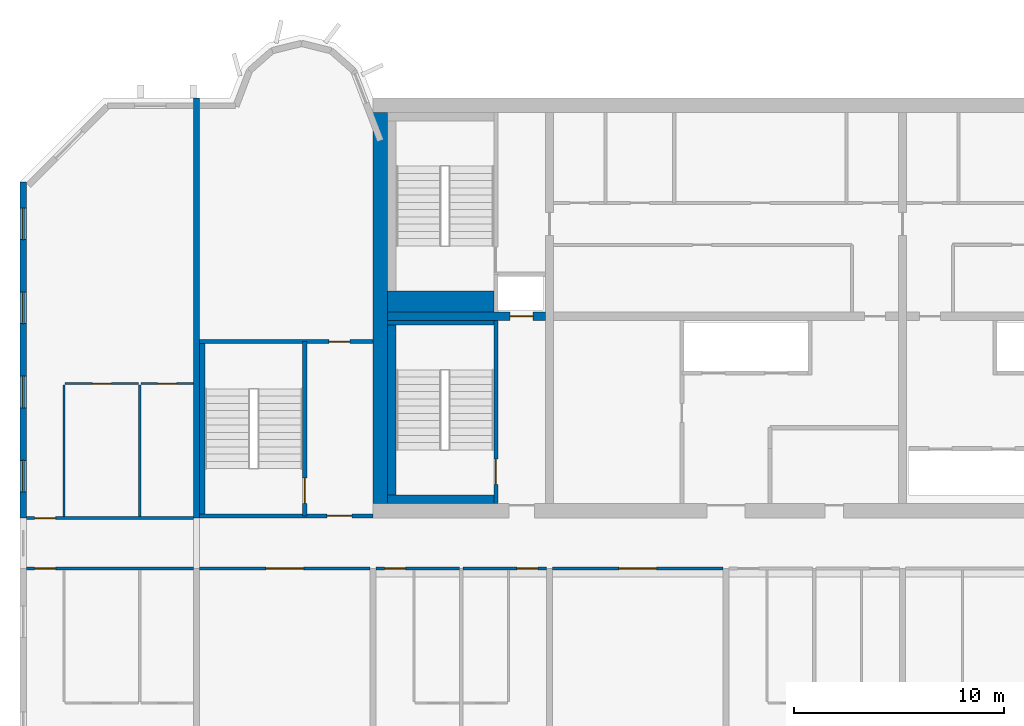
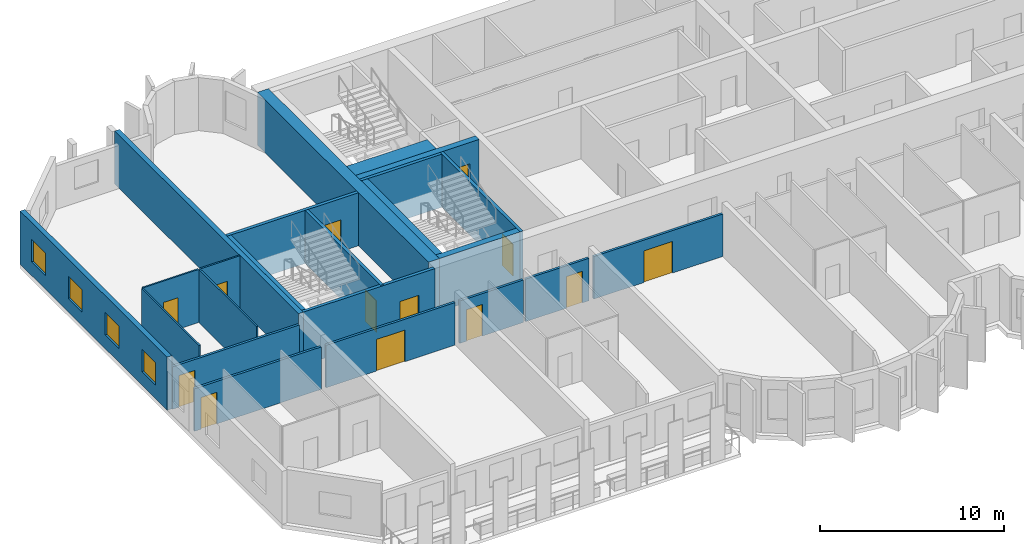
# One storey, part 3 of 13: 23 walls, 13 doors, 4 windows, 17 openings.
"""IFC4 building model written with IfcOpenShell, lengths in metres."""

from ifc_helpers import new_model, si_unit, direction, frame, frame_2d, origin, place, context, subcontext, project, spatial, rectangle, extrude, source, transform, mapped, material, layer, layer_set, type_object, element, fill, save


model = new_model("IFC4")

# Units and contexts
model_context = context("Model", 3, precision=1e-05, world=origin(), true_north=direction((0.0, 1.0)))
body_context = subcontext(model_context, "Body", "Model", "MODEL_VIEW")
ifc_project = project(units=[si_unit("LENGTHUNIT", "METRE"), si_unit("AREAUNIT", "SQUARE_METRE"), si_unit("VOLUMEUNIT", "CUBIC_METRE"), si_unit("PLANEANGLEUNIT", "RADIAN"), si_unit("MASSUNIT", "GRAM", prefix="KILO")], contexts=[model_context])

# Site, building, storey
site_placement = place(None, origin())
site = spatial("IfcSite", under=ifc_project, at=site_placement, CompositionType="ELEMENT")
building_placement = place(site_placement, origin())
building = spatial("IfcBuilding", under=site, at=building_placement, Name="Vanashikhar Sky Hotel", CompositionType="ELEMENT")
storey_placement = place(building_placement, frame((0.0, 0.0, 155.39990234375)))
storey = spatial("IfcBuildingStorey", under=building, at=storey_placement, Name="L37", CompositionType="ELEMENT", Elevation=155.39990234375)

# Wall
ifc_material_1 = material(Name="Concrete M60", Category="concrete")
ifc_layer_1 = layer(ifc_material_1, 0.699951171875)
ifc_layer_set_1 = layer_set([ifc_layer_1], Name="RC core shell wall 700 Concrete M60")
wall_type_1 = type_object("IfcWallType", Name="RC core shell wall 700 Concrete M60", PredefinedType="SHEAR", material=ifc_layer_set_1)
shared_shape_1 = source(origin(), body_context, "Body", "SweptSolid", [
    extrude(rectangle(XDim=18.60009765625, YDim=0.699951171875, at=frame_2d((9.300048828125, 0.0))), origin(), (0.0, 0.0, 1.0), 3.52001953125),
])
wall_1_placement = place(storey_placement, frame((25.550048828125, 22.699951171875, 0.0), z_axis=(0.0, 0.0, 1.0), x_axis=(0.0, 1.0, 0.0)))
element("IfcWall", 1, at=wall_1_placement, inside=storey, type_object=wall_type_1, Name="KW-L37-KW", PredefinedType="SHEAR", context=body_context, shape_type="MappedRepresentation", body=[
    mapped(shared_shape_1, transform((0.0, 0.0, 0.0), scale=1.0)),
])

# Wall, opening, door
ifc_layer_2 = layer(ifc_material_1, 0.39990234375)
ifc_layer_set_2 = layer_set([ifc_layer_2], Name="RC core inner wall 400 Concrete M60")
wall_type_2 = type_object("IfcWallType", Name="RC core inner wall 400 Concrete M60", PredefinedType="SHEAR", material=ifc_layer_set_2)
shared_shape_2 = source(origin(), body_context, "Body", "SweptSolid", [
    extrude(rectangle(XDim=7.5, YDim=0.39990234375, at=frame_2d((3.75, 0.0))), origin(), (0.0, 0.0, 1.0), 3.52001953125),
])
wall_2_placement = place(storey_placement, frame((25.89990234375, 31.60009765625, 0.0), z_axis=(0.0, 0.0, 1.0), x_axis=(1.0, 0.0, 0.0)))
wall_2 = element("IfcWall", 2, at=wall_2_placement, inside=storey, type_object=wall_type_2, Name="KW-L37-KY1", PredefinedType="SHEAR", context=body_context, shape_type="MappedRepresentation", body=[
    mapped(shared_shape_2, transform((0.0, 0.0, 0.0), scale=1.0)),
])
shared_shape_3 = source(origin(), body_context, "Body", "SweptSolid", [
    extrude(rectangle(XDim=1.10009765625, YDim=2.10009765625, at=frame_2d((0.550048828125, 1.050048828125))), frame((0.0, 0.2099609375, 0.0), z_axis=(0.0, -1.0, 0.0), x_axis=(1.0, 0.0, 0.0)), (0.0, 0.0, 1.0), 0.419921875),
])
opening_1_placement = place(wall_2_placement, frame((5.824951171875, 0.0, 0.0)))
opening_1 = element("IfcOpeningElement", 3, at=opening_1_placement, cuts=wall_2, Name="Opening LD", PredefinedType="OPENING", context=body_context, shape_type="MappedRepresentation", body=[
    mapped(shared_shape_3, transform((0.0, 0.0, 0.0), scale=1.0)),
])
ifc_material_2 = material(Name="Stainless steel", Category="steel")
door_type_1 = type_object("IfcDoorType", Name="Lift landing door 1100", OperationType="NOTDEFINED", PredefinedType="DOOR", material=ifc_material_2)
shared_shape_4 = source(origin(), body_context, "Body", "SweptSolid", [
    extrude(rectangle(XDim=1.10009765625, YDim=2.10009765625, at=frame_2d((0.550048828125, 1.050048828125))), frame((0.0, 0.02490234375, 0.0), z_axis=(0.0, -1.0, 0.0), x_axis=(1.0, 0.0, 0.0)), (0.0, 0.0, 1.0), 0.050048828125),
])
door_1_placement = place(opening_1_placement, origin())
door_1 = element("IfcDoor", 4, at=door_1_placement, inside=storey, type_object=door_type_1, Name="Lift landing door 1100", OperationType="SLIDING_TO_RIGHT", OverallHeight=2.10009765625, OverallWidth=1.10009765625, PredefinedType="DOOR", context=body_context, shape_type="MappedRepresentation", body=[
    mapped(shared_shape_4, transform((0.0, 0.0, 0.0), scale=1.0)),
])
fill(opening_1, door_1)

# Wall, openings, windows
ifc_layer_3 = layer(ifc_material_1, 0.300048828125)
ifc_layer_set_3 = layer_set([ifc_layer_3], Name="RC shear wall 300 Concrete M60")
wall_type_3 = type_object("IfcWallType", Name="RC shear wall 300 Concrete M60", PredefinedType="SHEAR", material=ifc_layer_set_3)
shared_shape_5 = source(origin(), body_context, "Body", "SweptSolid", [
    extrude(rectangle(XDim=16.0, YDim=0.300048828125, at=frame_2d((8.0, 0.0))), origin(), (0.0, 0.0, 1.0), 3.52001953125),
])
wall_3_placement = place(storey_placement, frame((8.550048828125, 22.0, 0.0), z_axis=(0.0, 0.0, 1.0), x_axis=(0.0, 1.0, 0.0)))
wall_3 = element("IfcWall", 5, at=wall_3_placement, inside=storey, type_object=wall_type_3, Name="CW-L37-XW02-2", PredefinedType="SHEAR", context=body_context, shape_type="MappedRepresentation", body=[
    mapped(shared_shape_5, transform((0.0, 0.0, 0.0), scale=1.0)),
])
shared_shape_6 = source(origin(), body_context, "Body", "SweptSolid", [
    extrude(rectangle(XDim=1.5, YDim=1.5, at=frame_2d((0.75, 0.75))), frame((0.0, 0.16015625, 0.0), z_axis=(0.0, -1.0, 0.0), x_axis=(1.0, 0.0, 0.0)), (0.0, 0.0, 1.0), 0.320068359375),
])
opening_2_placement = place(wall_3_placement, frame((1.25, 0.0, 0.89990234375)))
opening_2 = element("IfcOpeningElement", 6, at=opening_2_placement, cuts=wall_3, Name="Opening WN-1", PredefinedType="OPENING", context=body_context, shape_type="MappedRepresentation", body=[
    mapped(shared_shape_6, transform((0.0, 0.0, 0.0), scale=1.0)),
])
opening_3_placement = place(wall_3_placement, frame((5.25, 0.0, 0.89990234375)))
opening_3 = element("IfcOpeningElement", 7, at=opening_3_placement, cuts=wall_3, Name="Opening WN-1", PredefinedType="OPENING", context=body_context, shape_type="MappedRepresentation", body=[
    mapped(shared_shape_6, transform((0.0, 0.0, 0.0), scale=1.0)),
])
opening_4_placement = place(wall_3_placement, frame((9.25, 0.0, 0.89990234375)))
opening_4 = element("IfcOpeningElement", 8, at=opening_4_placement, cuts=wall_3, Name="Opening WN-1", PredefinedType="OPENING", context=body_context, shape_type="MappedRepresentation", body=[
    mapped(shared_shape_6, transform((0.0, 0.0, 0.0), scale=1.0)),
])
opening_5_placement = place(wall_3_placement, frame((13.25, 0.0, 0.89990234375)))
opening_5 = element("IfcOpeningElement", 9, at=opening_5_placement, cuts=wall_3, Name="Opening WN-1", PredefinedType="OPENING", context=body_context, shape_type="MappedRepresentation", body=[
    mapped(shared_shape_6, transform((0.0, 0.0, 0.0), scale=1.0)),
])
ifc_material_3 = material(Name="Glass", Category="glass")
window_type = type_object("IfcWindowType", Name="Window 1500 x 1500", PartitioningType="SINGLE_PANEL", PredefinedType="WINDOW", material=ifc_material_3)
shared_shape_7 = source(origin(), body_context, "Body", "SweptSolid", [
    extrude(rectangle(XDim=1.5, YDim=1.5, at=frame_2d((0.75, 0.75))), frame((0.0, 0.030029296875, 0.0), z_axis=(0.0, -1.0, 0.0), x_axis=(1.0, 0.0, 0.0)), (0.0, 0.0, 1.0), 0.06005859375),
])
window_1_placement = place(opening_2_placement, origin())
window_1 = element("IfcWindow", 10, at=window_1_placement, inside=storey, type_object=window_type, Name="Window WN-1", OverallHeight=1.5, OverallWidth=1.5, PartitioningType="SINGLE_PANEL", PredefinedType="WINDOW", context=body_context, shape_type="MappedRepresentation", body=[
    mapped(shared_shape_7, transform((0.0, 0.0, 0.0), scale=1.0)),
])
fill(opening_2, window_1)
window_2_placement = place(opening_3_placement, origin())
window_2 = element("IfcWindow", 11, at=window_2_placement, inside=storey, type_object=window_type, Name="Window WN-1", OverallHeight=1.5, OverallWidth=1.5, PartitioningType="SINGLE_PANEL", PredefinedType="WINDOW", context=body_context, shape_type="MappedRepresentation", body=[
    mapped(shared_shape_7, transform((0.0, 0.0, 0.0), scale=1.0)),
])
fill(opening_3, window_2)
window_3_placement = place(opening_4_placement, origin())
window_3 = element("IfcWindow", 12, at=window_3_placement, inside=storey, type_object=window_type, Name="Window WN-1", OverallHeight=1.5, OverallWidth=1.5, PartitioningType="SINGLE_PANEL", PredefinedType="WINDOW", context=body_context, shape_type="MappedRepresentation", body=[
    mapped(shared_shape_7, transform((0.0, 0.0, 0.0), scale=1.0)),
])
fill(opening_4, window_3)
window_4_placement = place(opening_5_placement, origin())
window_4 = element("IfcWindow", 13, at=window_4_placement, inside=storey, type_object=window_type, Name="Window WN-1", OverallHeight=1.5, OverallWidth=1.5, PartitioningType="SINGLE_PANEL", PredefinedType="WINDOW", context=body_context, shape_type="MappedRepresentation", body=[
    mapped(shared_shape_7, transform((0.0, 0.0, 0.0), scale=1.0)),
])
fill(opening_5, window_4)

# Wall
shared_shape_8 = source(origin(), body_context, "Body", "SweptSolid", [
    extrude(rectangle(XDim=20.0, YDim=0.300048828125, at=frame_2d((10.0, 0.0))), origin(), (0.0, 0.0, 1.0), 3.52001953125),
])
wall_4_placement = place(storey_placement, frame((16.800048828125, 22.0, 0.0), z_axis=(0.0, 0.0, 1.0), x_axis=(0.0, 1.0, 0.0)))
element("IfcWall", 14, at=wall_4_placement, inside=storey, type_object=wall_type_3, Name="CW-L37-XW03-2", PredefinedType="SHEAR", context=body_context, shape_type="MappedRepresentation", body=[
    mapped(shared_shape_8, transform((0.0, 0.0, 0.0), scale=1.0)),
])

# Wall, opening, door
ifc_material_4 = material(Name="Concrete M50", Category="concrete")
ifc_layer_4 = layer(ifc_material_4, 0.199951171875)
ifc_layer_set_4 = layer_set([ifc_layer_4], Name="Stair wall 200")
wall_type_4 = type_object("IfcWallType", Name="Stair wall 200", PredefinedType="SOLIDWALL", material=ifc_layer_set_4)
shared_shape_9 = source(origin(), body_context, "Body", "SweptSolid", [
    extrude(rectangle(XDim=8.2998046875, YDim=0.199951171875, at=frame_2d((4.14990234375, 0.0))), origin(), (0.0, 0.0, 1.0), 3.52001953125),
])
wall_5_placement = place(storey_placement, frame((21.949951171875, 22.10009765625, 0.0), z_axis=(0.0, 0.0, 1.0), x_axis=(0.0, 1.0, 0.0)))
wall_5 = element("IfcWall", 15, at=wall_5_placement, inside=storey, type_object=wall_type_4, Name="Stair wall 200", PredefinedType="SOLIDWALL", context=body_context, shape_type="MappedRepresentation", body=[
    mapped(shared_shape_9, transform((0.0, 0.0, 0.0), scale=1.0)),
])
shared_shape_10 = source(origin(), body_context, "Body", "SweptSolid", [
    extrude(rectangle(XDim=1.199951171875, YDim=2.10009765625, at=frame_2d((0.60009765625, 1.050048828125))), frame((0.0, 0.10986328125, 0.0), z_axis=(0.0, -1.0, 0.0), x_axis=(1.0, 0.0, 0.0)), (0.0, 0.0, 1.0), 0.219970703125),
])
opening_6_placement = place(wall_5_placement, frame((0.60009765625, 0.0, 0.0)))
opening_6 = element("IfcOpeningElement", 16, at=opening_6_placement, cuts=wall_5, Name="Opening DC-1", PredefinedType="OPENING", context=body_context, shape_type="MappedRepresentation", body=[
    mapped(shared_shape_10, transform((0.0, 0.0, 0.0), scale=1.0)),
])
ifc_material_5 = material(Name="Steel", Category="steel")
door_type_2 = type_object("IfcDoorType", Name="Stair door 1200 FD120", OperationType="NOTDEFINED", PredefinedType="DOOR", material=ifc_material_5)
shared_shape_11 = source(origin(), body_context, "Body", "SweptSolid", [
    extrude(rectangle(XDim=1.199951171875, YDim=2.10009765625, at=frame_2d((0.60009765625, 1.050048828125))), frame((0.0, 0.02490234375, 0.0), z_axis=(0.0, -1.0, 0.0), x_axis=(1.0, 0.0, 0.0)), (0.0, 0.0, 1.0), 0.050048828125),
])
door_2_placement = place(opening_6_placement, origin())
door_2 = element("IfcDoor", 17, at=door_2_placement, inside=storey, type_object=door_type_2, Name="Stair door 1200 FD120", OperationType="SINGLE_SWING_LEFT", OverallHeight=2.10009765625, OverallWidth=1.199951171875, PredefinedType="DOOR", context=body_context, shape_type="MappedRepresentation", body=[
    mapped(shared_shape_11, transform((0.0, 0.0, 0.0), scale=1.0)),
])
fill(opening_6, door_2)

shared_shape_12 = source(origin(), body_context, "Body", "SweptSolid", [
    extrude(rectangle(XDim=8.699951171875, YDim=0.199951171875, at=frame_2d((4.35009765625, 0.0))), origin(), (0.0, 0.0, 1.0), 3.52001953125),
])
wall_6_placement = place(storey_placement, frame((31.050048828125, 22.699951171875, 0.0), z_axis=(0.0, 0.0, 1.0), x_axis=(0.0, 1.0, 0.0)))
wall_6 = element("IfcWall", 18, at=wall_6_placement, inside=storey, type_object=wall_type_4, Name="Stair wall 200", PredefinedType="SOLIDWALL", context=body_context, shape_type="MappedRepresentation", body=[
    mapped(shared_shape_12, transform((0.0, 0.0, 0.0), scale=1.0)),
])
opening_7_placement = place(wall_6_placement, frame((0.89990234375, 0.0, 0.0)))
opening_7 = element("IfcOpeningElement", 19, at=opening_7_placement, cuts=wall_6, Name="Opening DC-1", PredefinedType="OPENING", context=body_context, shape_type="MappedRepresentation", body=[
    mapped(shared_shape_10, transform((0.0, 0.0, 0.0), scale=1.0)),
])
door_3_placement = place(opening_7_placement, origin())
door_3 = element("IfcDoor", 20, at=door_3_placement, inside=storey, type_object=door_type_2, Name="Stair door 1200 FD120", OperationType="SINGLE_SWING_RIGHT", OverallHeight=2.10009765625, OverallWidth=1.199951171875, PredefinedType="DOOR", context=body_context, shape_type="MappedRepresentation", body=[
    mapped(shared_shape_11, transform((0.0, 0.0, 0.0), scale=1.0)),
])
fill(opening_7, door_3)

shared_shape_13 = source(origin(), body_context, "Body", "SweptSolid", [
    extrude(rectangle(XDim=8.25, YDim=0.199951171875, at=frame_2d((4.125, 0.0))), origin(), (0.0, 0.0, 1.0), 3.52001953125),
])
wall_7_placement = place(storey_placement, frame((16.949951171875, 22.10009765625, 0.0), z_axis=(0.0, 0.0, 1.0), x_axis=(1.0, 0.0, 0.0)))
wall_7 = element("IfcWall", 21, at=wall_7_placement, inside=storey, type_object=wall_type_4, Name="Stair wall 200", PredefinedType="SOLIDWALL", context=body_context, shape_type="MappedRepresentation", body=[
    mapped(shared_shape_13, transform((0.0, 0.0, 0.0), scale=1.0)),
])
opening_8_placement = place(wall_7_placement, frame((6.050048828125, 0.0, 0.0)))
opening_8 = element("IfcOpeningElement", 22, at=opening_8_placement, cuts=wall_7, Name="Opening DC-2", PredefinedType="OPENING", context=body_context, shape_type="MappedRepresentation", body=[
    mapped(shared_shape_10, transform((0.0, 0.0, 0.0), scale=1.0)),
])
door_type_3 = type_object("IfcDoorType", Name="Firefighting lobby door 1200 FD120", OperationType="NOTDEFINED", PredefinedType="DOOR", material=ifc_material_5)
door_4_placement = place(opening_8_placement, origin())
door_4 = element("IfcDoor", 23, at=door_4_placement, inside=storey, type_object=door_type_3, Name="Firefighting lobby door 1200 FD120", OperationType="SINGLE_SWING_RIGHT", OverallHeight=2.10009765625, OverallWidth=1.199951171875, PredefinedType="DOOR", context=body_context, shape_type="MappedRepresentation", body=[
    mapped(shared_shape_11, transform((0.0, 0.0, 0.0), scale=1.0)),
])
fill(opening_8, door_4)

wall_8_placement = place(storey_placement, frame((16.949951171875, 30.39990234375, 0.0), z_axis=(0.0, 0.0, 1.0), x_axis=(1.0, 0.0, 0.0)))
wall_8 = element("IfcWall", 24, at=wall_8_placement, inside=storey, type_object=wall_type_4, Name="Stair wall 200", PredefinedType="SOLIDWALL", context=body_context, shape_type="MappedRepresentation", body=[
    mapped(shared_shape_13, transform((0.0, 0.0, 0.0), scale=1.0)),
])
shared_shape_14 = source(origin(), body_context, "Body", "SweptSolid", [
    extrude(rectangle(XDim=1.0, YDim=2.10009765625, at=frame_2d((0.5, 1.050048828125))), frame((0.0, 0.10986328125, 0.0), z_axis=(0.0, -1.0, 0.0), x_axis=(1.0, 0.0, 0.0)), (0.0, 0.0, 1.0), 0.219970703125),
])
opening_9_placement = place(wall_8_placement, frame((6.14990234375, 0.0, 0.0)))
opening_9 = element("IfcOpeningElement", 25, at=opening_9_placement, cuts=wall_8, Name="Opening DC-6", PredefinedType="OPENING", context=body_context, shape_type="MappedRepresentation", body=[
    mapped(shared_shape_14, transform((0.0, 0.0, 0.0), scale=1.0)),
])
door_type_4 = type_object("IfcDoorType", Name="Pocket door 1000 FD60", OperationType="NOTDEFINED", PredefinedType="DOOR", material=ifc_material_5)
shared_shape_15 = source(origin(), body_context, "Body", "SweptSolid", [
    extrude(rectangle(XDim=1.0, YDim=2.10009765625, at=frame_2d((0.5, 1.050048828125))), frame((0.0, 0.02490234375, 0.0), z_axis=(0.0, -1.0, 0.0), x_axis=(1.0, 0.0, 0.0)), (0.0, 0.0, 1.0), 0.050048828125),
])
door_5_placement = place(opening_9_placement, origin())
door_5 = element("IfcDoor", 26, at=door_5_placement, inside=storey, type_object=door_type_4, Name="Pocket door 1000 FD60", OperationType="SINGLE_SWING_RIGHT", OverallHeight=2.10009765625, OverallWidth=1.0, PredefinedType="DOOR", context=body_context, shape_type="MappedRepresentation", body=[
    mapped(shared_shape_15, transform((0.0, 0.0, 0.0), scale=1.0)),
])
fill(opening_9, door_5)

# Walls
ifc_layer_5 = layer(ifc_material_4, 0.39990234375)
ifc_layer_set_5 = layer_set([ifc_layer_5], Name="Stair infill wall 400")
wall_type_5 = type_object("IfcWallType", Name="Stair infill wall 400", PredefinedType="SOLIDWALL", material=ifc_layer_set_5)
shared_shape_16 = source(origin(), body_context, "Body", "SweptSolid", [
    extrude(rectangle(XDim=5.050048828125, YDim=0.39990234375, at=frame_2d((2.52490234375, 0.0))), origin(), (0.0, 0.0, 1.0), 3.52001953125),
])
wall_9_placement = place(storey_placement, frame((25.89990234375, 22.89990234375, 0.0), z_axis=(0.0, 0.0, 1.0), x_axis=(1.0, 0.0, 0.0)))
element("IfcWall", 27, at=wall_9_placement, inside=storey, type_object=wall_type_5, Name="Stair infill wall 400", PredefinedType="SOLIDWALL", context=body_context, shape_type="MappedRepresentation", body=[
    mapped(shared_shape_16, transform((0.0, 0.0, 0.0), scale=1.0)),
])
ifc_layer_6 = layer(ifc_material_4, 0.199951171875)
ifc_layer_set_6 = layer_set([ifc_layer_6], Name="Stair infill wall 200")
wall_type_6 = type_object("IfcWallType", Name="Stair infill wall 200", PredefinedType="SOLIDWALL", material=ifc_layer_set_6)
shared_shape_17 = source(origin(), body_context, "Body", "SweptSolid", [
    extrude(rectangle(XDim=5.050048828125, YDim=0.199951171875, at=frame_2d((2.52490234375, 0.0))), origin(), (0.0, 0.0, 1.0), 3.52001953125),
])
wall_10_placement = place(storey_placement, frame((25.89990234375, 31.300048828125, 0.0), z_axis=(0.0, 0.0, 1.0), x_axis=(1.0, 0.0, 0.0)))
element("IfcWall", 28, at=wall_10_placement, inside=storey, type_object=wall_type_6, Name="Stair infill wall 200", PredefinedType="SOLIDWALL", context=body_context, shape_type="MappedRepresentation", body=[
    mapped(shared_shape_17, transform((0.0, 0.0, 0.0), scale=1.0)),
])
shared_shape_18 = source(origin(), body_context, "Body", "SweptSolid", [
    extrude(rectangle(XDim=8.099853515625, YDim=0.39990234375, at=frame_2d((4.0498046875, 0.0))), origin(), (0.0, 0.0, 1.0), 3.52001953125),
])
wall_11_placement = place(storey_placement, frame((26.10009765625, 23.10009765625, 0.0), z_axis=(0.0, 0.0, 1.0), x_axis=(0.0, 1.0, 0.0)))
element("IfcWall", 29, at=wall_11_placement, inside=storey, type_object=wall_type_5, Name="Stair infill wall 400", PredefinedType="SOLIDWALL", context=body_context, shape_type="MappedRepresentation", body=[
    mapped(shared_shape_18, transform((0.0, 0.0, 0.0), scale=1.0)),
])
ifc_layer_7 = layer(ifc_material_4, 0.25)
ifc_layer_set_7 = layer_set([ifc_layer_7], Name="Stair infill wall 250")
wall_type_7 = type_object("IfcWallType", Name="Stair infill wall 250", PredefinedType="SOLIDWALL", material=ifc_layer_set_7)
shared_shape_19 = source(origin(), body_context, "Body", "SweptSolid", [
    extrude(rectangle(XDim=8.10009765625, YDim=0.25, at=frame_2d((4.050048828125, 0.0))), origin(), (0.0, 0.0, 1.0), 3.52001953125),
])
wall_12_placement = place(storey_placement, frame((17.074951171875, 22.199951171875, 0.0), z_axis=(0.0, 0.0, 1.0), x_axis=(0.0, 1.0, 0.0)))
element("IfcWall", 30, at=wall_12_placement, inside=storey, type_object=wall_type_7, Name="Stair infill wall 250", PredefinedType="SOLIDWALL", context=body_context, shape_type="MappedRepresentation", body=[
    mapped(shared_shape_19, transform((0.0, 0.0, 0.0), scale=1.0)),
])
ifc_layer_8 = layer(ifc_material_4, 1.0)
ifc_layer_set_8 = layer_set([ifc_layer_8], Name="Stair infill wall 1000")
wall_type_8 = type_object("IfcWallType", Name="Stair infill wall 1000", PredefinedType="SOLIDWALL", material=ifc_layer_set_8)
shared_shape_20 = source(origin(), body_context, "Body", "SweptSolid", [
    extrude(rectangle(XDim=5.050048828125, YDim=1.0, at=frame_2d((2.52490234375, 0.0))), origin(), (0.0, 0.0, 1.0), 3.52001953125),
])
wall_13_placement = place(storey_placement, frame((25.89990234375, 32.300048828125, 0.0), z_axis=(0.0, 0.0, 1.0), x_axis=(1.0, 0.0, 0.0)))
element("IfcWall", 31, at=wall_13_placement, inside=storey, type_object=wall_type_8, Name="Stair infill wall 1000", PredefinedType="SOLIDWALL", context=body_context, shape_type="MappedRepresentation", body=[
    mapped(shared_shape_20, transform((0.0, 0.0, 0.0), scale=1.0)),
])

# Wall, opening, door
ifc_material_6 = material(Name="Gypsum plasterboard partition")
ifc_layer_9 = layer(ifc_material_6, 0.10009765625)
ifc_layer_set_9 = layer_set([ifc_layer_9], Name="Wet room partition 100")
wall_type_9 = type_object("IfcWallType", Name="Wet room partition 100", PredefinedType="PARTITIONING", material=ifc_layer_set_9)
shared_shape_21 = source(origin(), body_context, "Body", "SweptSolid", [
    extrude(rectangle(XDim=3.5, YDim=0.10009765625, at=frame_2d((1.75, 0.0))), origin(), (0.0, 0.0, 1.0), 3.52001953125),
])
wall_14_placement = place(storey_placement, frame((10.550048828125, 28.39990234375, 0.0), z_axis=(0.0, 0.0, 1.0), x_axis=(1.0, 0.0, 0.0)))
wall_14 = element("IfcWall", 32, at=wall_14_placement, inside=storey, type_object=wall_type_9, Name="W-L37-PW057", PredefinedType="PARTITIONING", context=body_context, shape_type="MappedRepresentation", body=[
    mapped(shared_shape_21, transform((0.0, 0.0, 0.0), scale=1.0)),
])
shared_shape_22 = source(origin(), body_context, "Body", "SweptSolid", [
    extrude(rectangle(XDim=0.89990234375, YDim=2.10009765625, at=frame_2d((0.449951171875, 1.050048828125))), frame((0.0, 0.06005859375, 0.0), z_axis=(0.0, -1.0, 0.0), x_axis=(1.0, 0.0, 0.0)), (0.0, 0.0, 1.0), 0.1201171875),
])
opening_10_placement = place(wall_14_placement, frame((1.300048828125, 0.0, 0.0)))
opening_10 = element("IfcOpeningElement", 33, at=opening_10_placement, cuts=wall_14, Name="Opening D-02", PredefinedType="OPENING", context=body_context, shape_type="MappedRepresentation", body=[
    mapped(shared_shape_22, transform((0.0, 0.0, 0.0), scale=1.0)),
])
ifc_material_7 = material(Name="Timber door", Category="wood")
door_type_5 = type_object("IfcDoorType", Name="Internal door 900", OperationType="NOTDEFINED", PredefinedType="DOOR", material=ifc_material_7)
shared_shape_23 = source(origin(), body_context, "Body", "SweptSolid", [
    extrude(rectangle(XDim=0.89990234375, YDim=2.10009765625, at=frame_2d((0.449951171875, 1.050048828125))), frame((0.0, 0.02490234375, 0.0), z_axis=(0.0, -1.0, 0.0), x_axis=(1.0, 0.0, 0.0)), (0.0, 0.0, 1.0), 0.050048828125),
])
door_6_placement = place(opening_10_placement, origin())
door_6 = element("IfcDoor", 34, at=door_6_placement, inside=storey, type_object=door_type_5, Name="D-L37-032", OperationType="SINGLE_SWING_LEFT", OverallHeight=2.10009765625, OverallWidth=0.89990234375, PredefinedType="DOOR", context=body_context, shape_type="MappedRepresentation", body=[
    mapped(shared_shape_23, transform((0.0, 0.0, 0.0), scale=1.0)),
])
fill(opening_10, door_6)

# Walls
shared_shape_24 = source(origin(), body_context, "Body", "SweptSolid", [
    extrude(rectangle(XDim=6.25, YDim=0.10009765625, at=frame_2d((3.125, 0.0))), origin(), (0.0, 0.0, 1.0), 3.52001953125),
])
for number, where, z_axis, x_axis, name in (
    (35, (10.5, 22.074951171875, 0.0), (0.0, 0.0, 1.0), (0.0, 1.0, 0.0), "W-L37-PW055"),
    (36, (14.10009765625, 22.074951171875, 0.0), (0.0, 0.0, 1.0), (0.0, 1.0, 0.0), "W-L37-PW056"),
):
    element("IfcWall", number, at=place(storey_placement, frame(where, z_axis=z_axis, x_axis=x_axis)), inside=storey, type_object=wall_type_9, Name=name, PredefinedType="PARTITIONING", context=body_context, shape_type="MappedRepresentation", body=[
        mapped(shared_shape_24, transform((0.0, 0.0, 0.0), scale=1.0)),
    ])

# Wall, opening, door
shared_shape_25 = source(origin(), body_context, "Body", "SweptSolid", [
    extrude(rectangle(XDim=2.5, YDim=0.10009765625, at=frame_2d((1.25, 0.0))), origin(), (0.0, 0.0, 1.0), 3.52001953125),
])
wall_15_placement = place(storey_placement, frame((14.14990234375, 28.39990234375, 0.0), z_axis=(0.0, 0.0, 1.0), x_axis=(1.0, 0.0, 0.0)))
wall_15 = element("IfcWall", 37, at=wall_15_placement, inside=storey, type_object=wall_type_9, Name="W-L37-PW058", PredefinedType="PARTITIONING", context=body_context, shape_type="MappedRepresentation", body=[
    mapped(shared_shape_25, transform((0.0, 0.0, 0.0), scale=1.0)),
])
opening_11_placement = place(wall_15_placement, frame((0.800048828125, 0.0, 0.0)))
opening_11 = element("IfcOpeningElement", 38, at=opening_11_placement, cuts=wall_15, Name="Opening D-02", PredefinedType="OPENING", context=body_context, shape_type="MappedRepresentation", body=[
    mapped(shared_shape_22, transform((0.0, 0.0, 0.0), scale=1.0)),
])
door_7_placement = place(opening_11_placement, origin())
door_7 = element("IfcDoor", 39, at=door_7_placement, inside=storey, type_object=door_type_5, Name="D-L37-033", OperationType="SINGLE_SWING_LEFT", OverallHeight=2.10009765625, OverallWidth=0.89990234375, PredefinedType="DOOR", context=body_context, shape_type="MappedRepresentation", body=[
    mapped(shared_shape_23, transform((0.0, 0.0, 0.0), scale=1.0)),
])
fill(opening_11, door_7)

ifc_layer_10 = layer(ifc_material_6, 0.14990234375)
ifc_layer_set_10 = layer_set([ifc_layer_10], Name="Corridor and demising partition 150")
wall_type_10 = type_object("IfcWallType", Name="Corridor and demising partition 150", PredefinedType="PARTITIONING", material=ifc_layer_set_10)
shared_shape_26 = source(origin(), body_context, "Body", "SweptSolid", [
    extrude(rectangle(XDim=7.949951171875, YDim=0.14990234375, at=frame_2d((3.97509765625, 0.0))), origin(), (0.0, 0.0, 1.0), 2.820068359375),
])
wall_16_placement = place(storey_placement, frame((8.699951171875, 19.60009765625, 0.0), z_axis=(0.0, 0.0, 1.0), x_axis=(1.0, 0.0, 0.0)))
wall_16 = element("IfcWall", 40, at=wall_16_placement, inside=storey, type_object=wall_type_10, Name="W-L37-PW005", PredefinedType="PARTITIONING", context=body_context, shape_type="MappedRepresentation", body=[
    mapped(shared_shape_26, transform((0.0, 0.0, 0.0), scale=1.0)),
])
shared_shape_27 = source(origin(), body_context, "Body", "SweptSolid", [
    extrude(rectangle(XDim=1.0, YDim=2.10009765625, at=frame_2d((0.5, 1.050048828125))), frame((0.0, 0.0849609375, 0.0), z_axis=(0.0, -1.0, 0.0), x_axis=(1.0, 0.0, 0.0)), (0.0, 0.0, 1.0), 0.169921875),
])
opening_12_placement = place(wall_16_placement, frame((0.39990234375, 0.0, 0.0)))
opening_12 = element("IfcOpeningElement", 41, at=opening_12_placement, cuts=wall_16, Name="Opening D-01", PredefinedType="OPENING", context=body_context, shape_type="MappedRepresentation", body=[
    mapped(shared_shape_27, transform((0.0, 0.0, 0.0), scale=1.0)),
])
ifc_material_8 = material(Name="Timber fire door", Category="wood")
door_type_6 = type_object("IfcDoorType", Name="Guest entry door 1000 FD30S", OperationType="NOTDEFINED", PredefinedType="DOOR", material=ifc_material_8)
door_8_placement = place(opening_12_placement, origin())
door_8 = element("IfcDoor", 42, at=door_8_placement, inside=storey, type_object=door_type_6, Name="D-L37-003", OperationType="SINGLE_SWING_LEFT", OverallHeight=2.10009765625, OverallWidth=1.0, PredefinedType="DOOR", context=body_context, shape_type="MappedRepresentation", body=[
    mapped(shared_shape_15, transform((0.0, 0.0, 0.0), scale=1.0)),
])
fill(opening_12, door_8)

wall_17_placement = place(storey_placement, frame((8.699951171875, 22.0, 0.0), z_axis=(0.0, 0.0, 1.0), x_axis=(1.0, 0.0, 0.0)))
wall_17 = element("IfcWall", 43, at=wall_17_placement, inside=storey, type_object=wall_type_10, Name="W-L37-PW059", PredefinedType="PARTITIONING", context=body_context, shape_type="MappedRepresentation", body=[
    mapped(shared_shape_26, transform((0.0, 0.0, 0.0), scale=1.0)),
])
opening_13_placement = place(wall_17_placement, frame((0.39990234375, 0.0, 0.0)))
opening_13 = element("IfcOpeningElement", 44, at=opening_13_placement, cuts=wall_17, Name="Opening D-01", PredefinedType="OPENING", context=body_context, shape_type="MappedRepresentation", body=[
    mapped(shared_shape_27, transform((0.0, 0.0, 0.0), scale=1.0)),
])
door_9_placement = place(opening_13_placement, origin())
door_9 = element("IfcDoor", 45, at=door_9_placement, inside=storey, type_object=door_type_6, Name="D-L37-034", OperationType="SINGLE_SWING_LEFT", OverallHeight=2.10009765625, OverallWidth=1.0, PredefinedType="DOOR", context=body_context, shape_type="MappedRepresentation", body=[
    mapped(shared_shape_15, transform((0.0, 0.0, 0.0), scale=1.0)),
])
fill(opening_13, door_9)

shared_shape_28 = source(origin(), body_context, "Body", "SweptSolid", [
    extrude(rectangle(XDim=8.10009765625, YDim=0.14990234375, at=frame_2d((4.050048828125, 0.0))), origin(), (0.0, 0.0, 1.0), 2.820068359375),
])
wall_18_placement = place(storey_placement, frame((16.949951171875, 19.60009765625, 0.0), z_axis=(0.0, 0.0, 1.0), x_axis=(1.0, 0.0, 0.0)))
wall_18 = element("IfcWall", 46, at=wall_18_placement, inside=storey, type_object=wall_type_10, Name="W-L37-PW006", PredefinedType="PARTITIONING", context=body_context, shape_type="MappedRepresentation", body=[
    mapped(shared_shape_28, transform((0.0, 0.0, 0.0), scale=1.0)),
])
shared_shape_29 = source(origin(), body_context, "Body", "SweptSolid", [
    extrude(rectangle(XDim=1.800048828125, YDim=2.10009765625, at=frame_2d((0.89990234375, 1.050048828125))), frame((0.0, 0.0849609375, 0.0), z_axis=(0.0, -1.0, 0.0), x_axis=(1.0, 0.0, 0.0)), (0.0, 0.0, 1.0), 0.169921875),
])
opening_14_placement = place(wall_18_placement, frame((3.14990234375, 0.0, 0.0)))
opening_14 = element("IfcOpeningElement", 47, at=opening_14_placement, cuts=wall_18, Name="Opening D-03", PredefinedType="OPENING", context=body_context, shape_type="MappedRepresentation", body=[
    mapped(shared_shape_29, transform((0.0, 0.0, 0.0), scale=1.0)),
])
door_type_7 = type_object("IfcDoorType", Name="Double leaf door 1800 FD30S", OperationType="NOTDEFINED", PredefinedType="DOOR", material=ifc_material_8)
shared_shape_30 = source(origin(), body_context, "Body", "SweptSolid", [
    extrude(rectangle(XDim=1.800048828125, YDim=2.10009765625, at=frame_2d((0.89990234375, 1.050048828125))), frame((0.0, 0.02490234375, 0.0), z_axis=(0.0, -1.0, 0.0), x_axis=(1.0, 0.0, 0.0)), (0.0, 0.0, 1.0), 0.050048828125),
])
door_10_placement = place(opening_14_placement, origin())
door_10 = element("IfcDoor", 48, at=door_10_placement, inside=storey, type_object=door_type_7, Name="D-L37-004", OperationType="DOUBLE_DOOR_SINGLE_SWING", OverallHeight=2.10009765625, OverallWidth=1.800048828125, PredefinedType="DOOR", context=body_context, shape_type="MappedRepresentation", body=[
    mapped(shared_shape_30, transform((0.0, 0.0, 0.0), scale=1.0)),
])
fill(opening_14, door_10)

wall_19_placement = place(storey_placement, frame((33.75, 19.60009765625, 0.0), z_axis=(0.0, 0.0, 1.0), x_axis=(1.0, 0.0, 0.0)))
wall_19 = element("IfcWall", 49, at=wall_19_placement, inside=storey, type_object=wall_type_10, Name="W-L37-PW014", PredefinedType="PARTITIONING", context=body_context, shape_type="MappedRepresentation", body=[
    mapped(shared_shape_28, transform((0.0, 0.0, 0.0), scale=1.0)),
])
opening_15_placement = place(wall_19_placement, frame((3.14990234375, 0.0, 0.0)))
opening_15 = element("IfcOpeningElement", 50, at=opening_15_placement, cuts=wall_19, Name="Opening D-03", PredefinedType="OPENING", context=body_context, shape_type="MappedRepresentation", body=[
    mapped(shared_shape_29, transform((0.0, 0.0, 0.0), scale=1.0)),
])
door_11_placement = place(opening_15_placement, origin())
door_11 = element("IfcDoor", 51, at=door_11_placement, inside=storey, type_object=door_type_7, Name="D-L37-009", OperationType="DOUBLE_DOOR_SINGLE_SWING", OverallHeight=2.10009765625, OverallWidth=1.800048828125, PredefinedType="DOOR", context=body_context, shape_type="MappedRepresentation", body=[
    mapped(shared_shape_30, transform((0.0, 0.0, 0.0), scale=1.0)),
])
fill(opening_15, door_11)

shared_shape_31 = source(origin(), body_context, "Body", "SweptSolid", [
    extrude(rectangle(XDim=3.974853515625, YDim=0.14990234375, at=frame_2d((1.9873046875, 0.0))), origin(), (0.0, 0.0, 1.0), 2.820068359375),
])
wall_20_placement = place(storey_placement, frame((25.35009765625, 19.60009765625, 0.0), z_axis=(0.0, 0.0, 1.0), x_axis=(1.0, 0.0, 0.0)))
wall_20 = element("IfcWall", 52, at=wall_20_placement, inside=storey, type_object=wall_type_10, Name="W-L37-PW009", PredefinedType="PARTITIONING", context=body_context, shape_type="MappedRepresentation", body=[
    mapped(shared_shape_31, transform((0.0, 0.0, 0.0), scale=1.0)),
])
opening_16_placement = place(wall_20_placement, frame((0.39990234375, 0.0, 0.0)))
opening_16 = element("IfcOpeningElement", 53, at=opening_16_placement, cuts=wall_20, Name="Opening D-01", PredefinedType="OPENING", context=body_context, shape_type="MappedRepresentation", body=[
    mapped(shared_shape_27, transform((0.0, 0.0, 0.0), scale=1.0)),
])
door_12_placement = place(opening_16_placement, origin())
door_12 = element("IfcDoor", 54, at=door_12_placement, inside=storey, type_object=door_type_6, Name="D-L37-006", OperationType="SINGLE_SWING_LEFT", OverallHeight=2.10009765625, OverallWidth=1.0, PredefinedType="DOOR", context=body_context, shape_type="MappedRepresentation", body=[
    mapped(shared_shape_15, transform((0.0, 0.0, 0.0), scale=1.0)),
])
fill(opening_16, door_12)

wall_21_placement = place(storey_placement, frame((29.47509765625, 19.60009765625, 0.0), z_axis=(0.0, 0.0, 1.0), x_axis=(1.0, 0.0, 0.0)))
wall_21 = element("IfcWall", 55, at=wall_21_placement, inside=storey, type_object=wall_type_10, Name="W-L37-PW012", PredefinedType="PARTITIONING", context=body_context, shape_type="MappedRepresentation", body=[
    mapped(shared_shape_31, transform((0.0, 0.0, 0.0), scale=1.0)),
])
opening_17_placement = place(wall_21_placement, frame((2.574951171875, 0.0, 0.0)))
opening_17 = element("IfcOpeningElement", 56, at=opening_17_placement, cuts=wall_21, Name="Opening D-01", PredefinedType="OPENING", context=body_context, shape_type="MappedRepresentation", body=[
    mapped(shared_shape_27, transform((0.0, 0.0, 0.0), scale=1.0)),
])
door_13_placement = place(opening_17_placement, origin())
door_13 = element("IfcDoor", 57, at=door_13_placement, inside=storey, type_object=door_type_6, Name="D-L37-008", OperationType="SINGLE_SWING_RIGHT", OverallHeight=2.10009765625, OverallWidth=1.0, PredefinedType="DOOR", context=body_context, shape_type="MappedRepresentation", body=[
    mapped(shared_shape_15, transform((0.0, 0.0, 0.0), scale=1.0)),
])
fill(opening_17, door_13)

save(model, "model.ifc")
